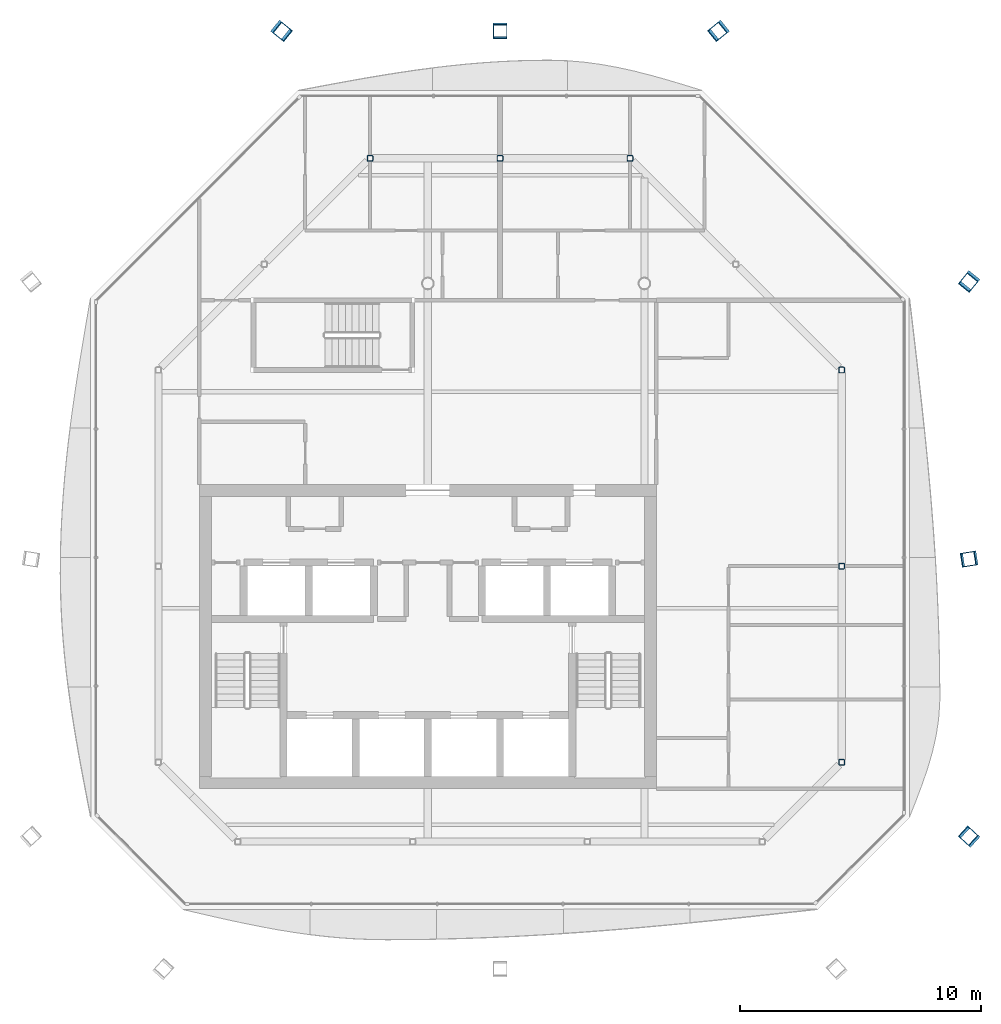
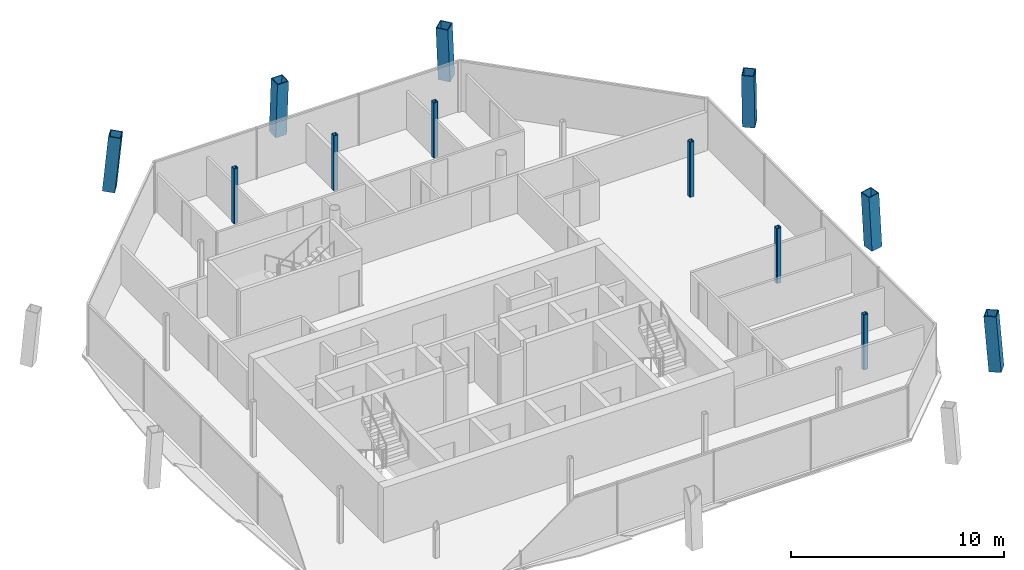
# One storey, part 2 of 16: 12 columns.
"""IFC4 building model written with IfcOpenShell, lengths in metres."""

from ifc_helpers import new_model, si_unit, direction, frame, origin, origin_2d, place, context, subcontext, project, spatial, hollow_rectangle, extrude, material, material_profile, profile_set, type_object, element, save


model = new_model("IFC4")

# Units and contexts
model_context = context("Model", 3, precision=1e-05, world=origin(), true_north=direction((0.0, 1.0)))
body_context = subcontext(model_context, "Body", "Model", "MODEL_VIEW")
ifc_project = project(units=[si_unit("LENGTHUNIT", "METRE"), si_unit("AREAUNIT", "SQUARE_METRE"), si_unit("VOLUMEUNIT", "CUBIC_METRE"), si_unit("PLANEANGLEUNIT", "RADIAN"), si_unit("MASSUNIT", "GRAM", prefix="KILO")], contexts=[model_context])

# Site, building, storey
site_placement = place(None, origin())
site = spatial("IfcSite", under=ifc_project, at=site_placement, CompositionType="ELEMENT")
building_placement = place(site_placement, origin())
building = spatial("IfcBuilding", under=site, at=building_placement, Name="Tskaro Facet Tower", CompositionType="ELEMENT")
storey_placement = place(building_placement, frame((0.0, 0.0, 265.800048828125)))
storey = spatial("IfcBuildingStorey", under=building, at=storey_placement, Name="L70", CompositionType="ELEMENT", Elevation=265.800048828125)

# Columns
ifc_material_1 = material(Name="Steel S355J2", Category="steel")
ifc_material_profile_1 = material_profile(ifc_material_1, hollow_rectangle(XDim=0.60009765625, YDim=0.60009765625, WallThickness=0.0400390625, at=origin_2d()), Name="BOX 600x600x40")
ifc_profile_set_1 = profile_set([ifc_material_profile_1], Name="Steel S355J2")
column_type_1 = type_object("IfcColumnType", Name="BOX 600x600x40 mega column", PredefinedType="COLUMN", material=ifc_profile_set_1)
column_1_placement = place(storey_placement, frame((22.528076171875, -14.02197265625, 0.0), z_axis=(-0.057951446548, 0.052851719252, 0.996919417814), x_axis=(-0.673848784787, -0.738869281565, 0.0)))
element("IfcColumn", 1, at=column_1_placement, inside=storey, type_object=column_type_1, Name="BOX 600x600x40 MC04/6", PredefinedType="COLUMN", context=body_context, shape_type="SweptSolid", body=[
    extrude(hollow_rectangle(XDim=0.60009765625, YDim=0.60009765625, WallThickness=0.0400390625, at=origin_2d()), origin(), (0.0, 0.0, 1.0), 3.15966796875),
])
column_2_placement = place(storey_placement, frame((22.528076171875, -2.451904296875, 0.0), z_axis=(-0.058030094553, -0.009207441669, 0.998272373225), x_axis=(0.156706377373, -0.987645235543, 0.0)))
element("IfcColumn", 2, at=column_2_placement, inside=storey, type_object=column_type_1, Name="BOX 600x600x40 MC05/6", PredefinedType="COLUMN", context=body_context, shape_type="SweptSolid", body=[
    extrude(hollow_rectangle(XDim=0.60009765625, YDim=0.60009765625, WallThickness=0.0400390625, at=origin_2d()), origin(), (0.0, 0.0, 1.0), 3.1552734375),
])
for number, where, z_axis, x_axis, name in (
    (3, (22.528076171875, 9.118896484375, 0.0), (-0.05788447966, -0.071390858248, 0.995767408772), (0.77675574872, -0.629801958421, 0.0), "BOX 600x600x40 MC06/6"),
    (4, (12.118896484375, 19.528076171875, 0.0), (-0.071390858248, -0.05788447966, 0.995767408772), (0.629801958421, -0.77675574872, 0.0), "BOX 600x600x40 MC07/6"),
):
    element("IfcColumn", number, at=place(storey_placement, frame(where, z_axis=z_axis, x_axis=x_axis)), inside=storey, type_object=column_type_1, Name=name, PredefinedType="COLUMN", context=body_context, shape_type="SweptSolid", body=[
        extrude(hollow_rectangle(XDim=0.60009765625, YDim=0.60009765625, WallThickness=0.0400390625, at=origin_2d()), origin(), (0.0, 0.0, 1.0), 3.163330078125),
    ])
column_3_placement = place(storey_placement, frame((3.0, 19.528076171875, 0.0), z_axis=(0.0, -0.058032554517, 0.998314691175), x_axis=(1.0, 0.0, 0.0)))
element("IfcColumn", 5, at=column_3_placement, inside=storey, type_object=column_type_1, Name="BOX 600x600x40 MC08/6", PredefinedType="COLUMN", context=body_context, shape_type="SweptSolid", body=[
    extrude(hollow_rectangle(XDim=0.60009765625, YDim=0.60009765625, WallThickness=0.0400390625, at=origin_2d()), origin(), (0.0, 0.0, 1.0), 3.1552734375),
])
column_4_placement = place(storey_placement, frame((-6.118896484375, 19.528076171875, 0.0), z_axis=(0.071390858248, -0.05788447966, 0.995767408772), x_axis=(0.629801958421, 0.77675574872, 0.0)))
element("IfcColumn", 6, at=column_4_placement, inside=storey, type_object=column_type_1, Name="BOX 600x600x40 MC09/6", PredefinedType="COLUMN", context=body_context, shape_type="SweptSolid", body=[
    extrude(hollow_rectangle(XDim=0.60009765625, YDim=0.60009765625, WallThickness=0.0400390625, at=origin_2d()), origin(), (0.0, 0.0, 1.0), 3.163330078125),
])
ifc_material_2 = material(Name="Steel S355J2H", Category="steel")
ifc_material_profile_2 = material_profile(ifc_material_2, hollow_rectangle(XDim=0.25, YDim=0.25, WallThickness=0.02001953125, InnerFilletRadius=0.030029296875, OuterFilletRadius=0.050048828125, at=origin_2d()), Name="SHS 250x250x20")
ifc_profile_set_2 = profile_set([ifc_material_profile_2], Name="Steel S355J2H")
column_type_2 = type_object("IfcColumnType", Name="SHS 250x250x20 ring column", PredefinedType="COLUMN", material=ifc_profile_set_2)
for number, where, z_axis, x_axis, name in (
    (7, (17.199951171875, -10.903076171875, 0.0), (0.0, 0.0, 1.0), (1.0, 0.0, 0.0), "SHS 250x250x20 RE-1/6"),
    (8, (17.199951171875, -2.75, 0.0), (0.0, 0.0, 1.0), (1.0, 0.0, 0.0), "SHS 250x250x20 RE-2/6"),
    (9, (17.199951171875, 5.403076171875, 0.0), (0.0, 0.0, 1.0), (1.0, 0.0, 0.0), "SHS 250x250x20 RNE-1/6"),
    (10, (8.403076171875, 14.199951171875, 0.0), (0.0, 0.0, 1.0), (1.0, 0.0, 0.0), "SHS 250x250x20 RN-1/6"),
    (11, (3.0, 14.199951171875, 0.0), (0.0, 0.0, 1.0), (1.0, 0.0, 0.0), "SHS 250x250x20 RN-2/6"),
    (12, (-2.403076171875, 14.199951171875, 0.0), (0.0, 0.0, 1.0), (1.0, 0.0, 0.0), "SHS 250x250x20 RNW-1/6"),
):
    element("IfcColumn", number, at=place(storey_placement, frame(where, z_axis=z_axis, x_axis=x_axis)), inside=storey, type_object=column_type_2, Name=name, PredefinedType="COLUMN", context=body_context, shape_type="SweptSolid", body=[
        extrude(hollow_rectangle(XDim=0.25, YDim=0.25, WallThickness=0.02001953125, InnerFilletRadius=0.030029296875, OuterFilletRadius=0.050048828125, at=origin_2d()), origin(), (0.0, 0.0, 1.0), 3.14990234375),
    ])

save(model, "model.ifc")
